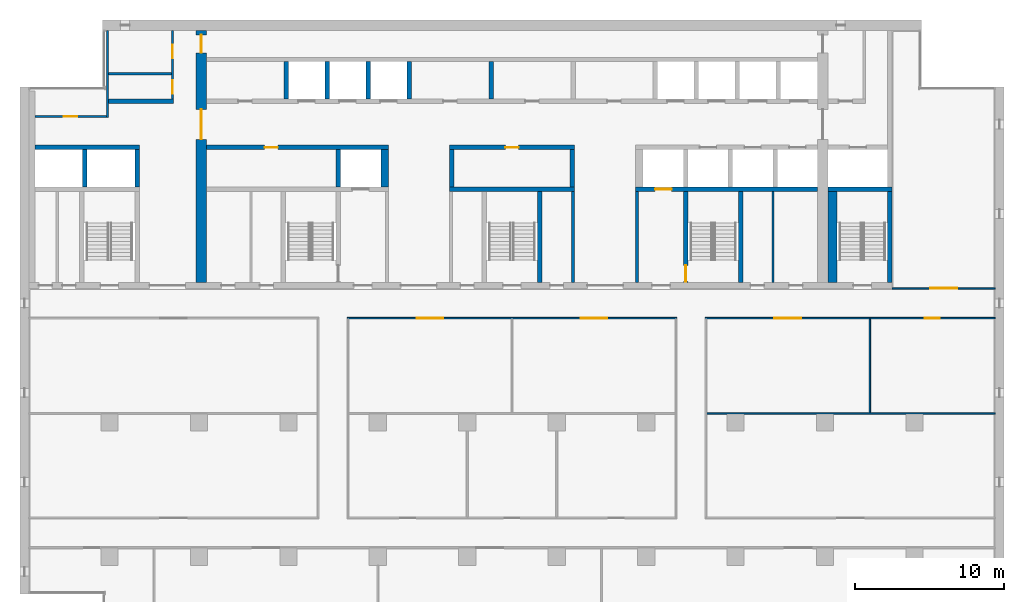
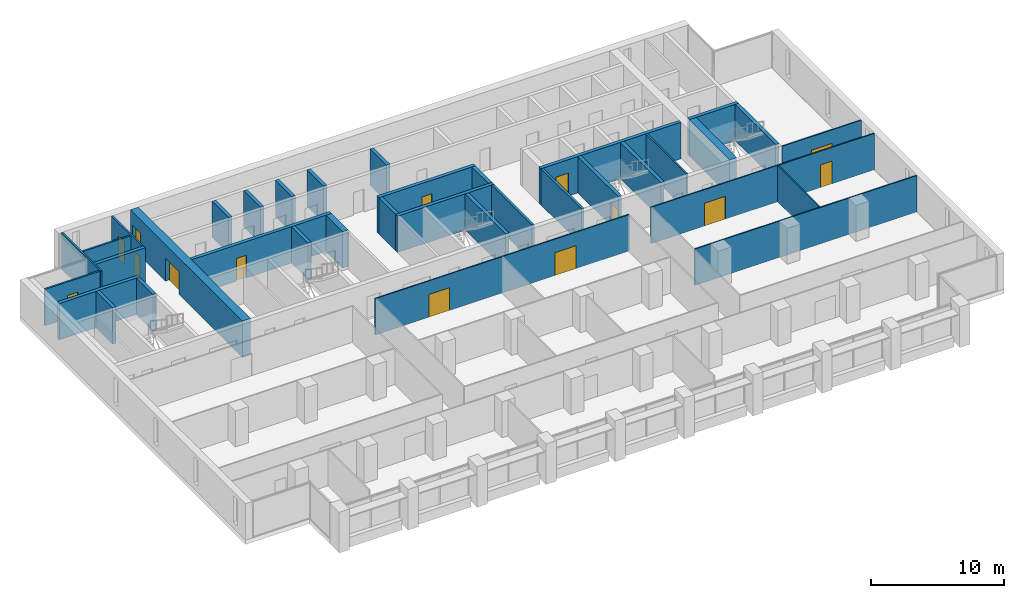
# One storey, part 10 of 17: 36 walls, 14 doors, 14 openings.
"""IFC4 building model written with IfcOpenShell, lengths in metres."""

from ifc_helpers import new_model, si_unit, direction, frame, frame_2d, origin, place, context, subcontext, project, spatial, rectangle, extrude, material, layer, layer_set, type_object, element, fill, save


model = new_model("IFC4")

# Units and contexts
model_context = context("Model", 3, precision=1e-05, world=origin(), true_north=direction((0.0, 1.0)))
body_context = subcontext(model_context, "Body", "Model", "MODEL_VIEW")
ifc_project = project(units=[si_unit("LENGTHUNIT", "METRE"), si_unit("AREAUNIT", "SQUARE_METRE"), si_unit("VOLUMEUNIT", "CUBIC_METRE"), si_unit("PLANEANGLEUNIT", "RADIAN"), si_unit("MASSUNIT", "GRAM", prefix="KILO")], contexts=[model_context])

# Site, building, storey
site_placement = place(None, origin())
site = spatial("IfcSite", under=ifc_project, at=site_placement, CompositionType="ELEMENT")
building_placement = place(site_placement, origin())
building = spatial("IfcBuilding", under=site, at=building_placement, Name="Calvaro Tower", CompositionType="ELEMENT")
storey_placement = place(building_placement, frame((0.0, 0.0, 185.5)))
storey = spatial("IfcBuildingStorey", under=building, at=storey_placement, Name="L46", CompositionType="ELEMENT", Elevation=185.5)

# Walls
ifc_material_1 = material(Name="Blockwork partition", Category="masonry")
ifc_layer_1 = layer(ifc_material_1, 0.14990234375)
ifc_layer_set_1 = layer_set([ifc_layer_1], Name="Blockwork partition")
wall_type_1 = type_object("IfcWallType", Name="Core partition 150 EI 60", PredefinedType="PARTITIONING", material=ifc_layer_set_1)
wall_1_placement = place(storey_placement, frame((56.5, 28.39990234375, 0.0), z_axis=(0.0, 0.0, 1.0), x_axis=(0.0, 1.0, 0.0)))
element("IfcWall", 1, at=wall_1_placement, inside=storey, type_object=wall_type_1, Name="Core partition", PredefinedType="PARTITIONING", context=body_context, shape_type="SweptSolid", body=[
    extrude(rectangle(XDim=6.10009765625, YDim=0.14990234375, at=frame_2d((3.050048828125, 0.0))), origin(), (0.0, 0.0, 1.0), 3.35009765625),
])
wall_2_placement = place(storey_placement, frame((11.949951171875, 42.39990234375, 0.0), z_axis=(0.0, 0.0, 1.0), x_axis=(1.0, 0.0, 0.0)))
element("IfcWall", 2, at=wall_2_placement, inside=storey, type_object=wall_type_1, Name="Core partition", PredefinedType="PARTITIONING", context=body_context, shape_type="SweptSolid", body=[
    extrude(rectangle(XDim=4.199951171875, YDim=0.14990234375, at=frame_2d((2.10009765625, 0.0))), origin(), (0.0, 0.0, 1.0), 3.35009765625),
])

# Wall, openings, doors
ifc_material_2 = material(Name="Blockwork partition", Category="masonry")
ifc_layer_2 = layer(ifc_material_2, 0.14990234375)
ifc_layer_set_2 = layer_set([ifc_layer_2], Name="Blockwork partition")
wall_type_2 = type_object("IfcWallType", Name="Core partition 150 REI 120", PredefinedType="PARTITIONING", material=ifc_layer_set_2)
wall_3_placement = place(storey_placement, frame((16.22509765625, 45.300048828125, 0.0), z_axis=(0.0, 0.0, 1.0), x_axis=(0.0, -1.0, 0.0)))
wall_3 = element("IfcWall", 3, at=wall_3_placement, inside=storey, type_object=wall_type_2, Name="Core partition", PredefinedType="PARTITIONING", context=body_context, shape_type="SweptSolid", body=[
    extrude(rectangle(XDim=4.60009765625, YDim=0.14990234375, at=frame_2d((2.300048828125, 0.0))), origin(), (0.0, 0.0, 1.0), 3.35009765625),
])
opening_1_placement = place(wall_3_placement, frame((3.33740234375, 0.0, 0.0)))
opening_1 = element("IfcOpeningElement", 4, at=opening_1_placement, cuts=wall_3, Name="Opening RD9", PredefinedType="OPENING", context=body_context, shape_type="SweptSolid", body=[
    extrude(rectangle(XDim=0.89990234375, YDim=2.10009765625, at=frame_2d((0.449951171875, 1.050048828125))), frame((0.0, 0.0849609375, 0.0), z_axis=(0.0, -1.0, 0.0), x_axis=(1.0, 0.0, 0.0)), (0.0, 0.0, 1.0), 0.169921875),
])
opening_2_placement = place(wall_3_placement, frame((0.96240234375, 0.0, 0.0)))
opening_2 = element("IfcOpeningElement", 5, at=opening_2_placement, cuts=wall_3, Name="Opening RD9", PredefinedType="OPENING", context=body_context, shape_type="SweptSolid", body=[
    extrude(rectangle(XDim=0.89990234375, YDim=2.10009765625, at=frame_2d((0.449951171875, 1.050048828125))), frame((0.0, 0.0849609375, 0.0), z_axis=(0.0, -1.0, 0.0), x_axis=(1.0, 0.0, 0.0)), (0.0, 0.0, 1.0), 0.169921875),
])
ifc_material_3 = material(Name="Steel door set", Category="steel")
door_type_1 = type_object("IfcDoorType", Name="Room door 900", OperationType="SINGLE_SWING_LEFT", PredefinedType="DOOR", material=ifc_material_3)
door_1_placement = place(opening_1_placement, origin())
door_1 = element("IfcDoor", 6, at=door_1_placement, inside=storey, type_object=door_type_1, Name="Room door", OperationType="SINGLE_SWING_RIGHT", OverallHeight=2.10009765625, OverallWidth=0.89990234375, PredefinedType="DOOR", context=body_context, shape_type="SweptSolid", body=[
    extrude(rectangle(XDim=0.89990234375, YDim=2.10009765625, at=frame_2d((0.449951171875, 1.050048828125))), frame((0.0, 0.02490234375, 0.0), z_axis=(0.0, -1.0, 0.0), x_axis=(1.0, 0.0, 0.0)), (0.0, 0.0, 1.0), 0.050048828125),
])
fill(opening_1, door_1)
door_2_placement = place(opening_2_placement, origin())
door_2 = element("IfcDoor", 7, at=door_2_placement, inside=storey, type_object=door_type_1, Name="Room door", OperationType="SINGLE_SWING_LEFT", OverallHeight=2.10009765625, OverallWidth=0.89990234375, PredefinedType="DOOR", context=body_context, shape_type="SweptSolid", body=[
    extrude(rectangle(XDim=0.89990234375, YDim=2.10009765625, at=frame_2d((0.449951171875, 1.050048828125))), frame((0.0, 0.02490234375, 0.0), z_axis=(0.0, -1.0, 0.0), x_axis=(1.0, 0.0, 0.0)), (0.0, 0.0, 1.0), 0.050048828125),
])
fill(opening_2, door_2)

# Wall
wall_4_placement = place(storey_placement, frame((11.875, 39.449951171875, 0.0), z_axis=(0.0, 0.0, 1.0), x_axis=(0.0, 1.0, 0.0)))
element("IfcWall", 8, at=wall_4_placement, inside=storey, type_object=wall_type_2, Name="Core partition", PredefinedType="PARTITIONING", context=body_context, shape_type="SweptSolid", body=[
    extrude(rectangle(XDim=5.85009765625, YDim=0.14990234375, at=frame_2d((2.925048828125, 0.0))), origin(), (0.0, 0.0, 1.0), 3.35009765625),
])

# Wall, opening, door
wall_5_placement = place(storey_placement, frame((7.0, 39.52490234375, 0.0), z_axis=(0.0, 0.0, 1.0), x_axis=(1.0, 0.0, 0.0)))
wall_5 = element("IfcWall", 9, at=wall_5_placement, inside=storey, type_object=wall_type_2, Name="Core partition", PredefinedType="PARTITIONING", context=body_context, shape_type="SweptSolid", body=[
    extrude(rectangle(XDim=4.800048828125, YDim=0.14990234375, at=frame_2d((2.39990234375, 0.0))), origin(), (0.0, 0.0, 1.0), 3.35009765625),
])
opening_3_placement = place(wall_5_placement, frame((1.949951171875, 0.0, 0.0)))
opening_3 = element("IfcOpeningElement", 10, at=opening_3_placement, cuts=wall_5, Name="Opening RD9", PredefinedType="OPENING", context=body_context, shape_type="SweptSolid", body=[
    extrude(rectangle(XDim=0.89990234375, YDim=2.10009765625, at=frame_2d((0.449951171875, 1.050048828125))), frame((0.0, 0.0849609375, 0.0), z_axis=(0.0, -1.0, 0.0), x_axis=(1.0, 0.0, 0.0)), (0.0, 0.0, 1.0), 0.169921875),
])
door_3_placement = place(opening_3_placement, origin())
door_3 = element("IfcDoor", 11, at=door_3_placement, inside=storey, type_object=door_type_1, Name="Room door", OperationType="SINGLE_SWING_LEFT", OverallHeight=2.10009765625, OverallWidth=0.89990234375, PredefinedType="DOOR", context=body_context, shape_type="SweptSolid", body=[
    extrude(rectangle(XDim=0.89990234375, YDim=2.10009765625, at=frame_2d((0.449951171875, 1.050048828125))), frame((0.0, 0.02490234375, 0.0), z_axis=(0.0, -1.0, 0.0), x_axis=(1.0, 0.0, 0.0)), (0.0, 0.0, 1.0), 0.050048828125),
])
fill(opening_3, door_3)

# Walls
ifc_material_4 = material(Name="Blockwork partition", Category="masonry")
ifc_layer_3 = layer(ifc_material_4, 0.199951171875)
ifc_layer_set_3 = layer_set([ifc_layer_3], Name="Blockwork partition")
wall_type_3 = type_object("IfcWallType", Name="Core partition 200 REI 120", PredefinedType="PARTITIONING", material=ifc_layer_set_3)
for number, where, z_axis, x_axis, name in (
    (12, (43.10009765625, 28.39990234375, 0.0), (0.0, 0.0, 1.0), (0.0, 1.0, 0.0), "Core partition"),
    (13, (47.39990234375, 28.39990234375, 0.0), (0.0, 0.0, 1.0), (0.0, 1.0, 0.0), "Core partition"),
):
    element("IfcWall", number, at=place(storey_placement, frame(where, z_axis=z_axis, x_axis=x_axis)), inside=storey, type_object=wall_type_3, Name=name, PredefinedType="PARTITIONING", context=body_context, shape_type="SweptSolid", body=[
        extrude(rectangle(XDim=6.10009765625, YDim=0.199951171875, at=frame_2d((3.050048828125, 0.0))), origin(), (0.0, 0.0, 1.0), 3.35009765625),
    ])
ifc_material_5 = material(Name="Blockwork partition", Category="masonry")
ifc_layer_4 = layer(ifc_material_5, 0.300048828125)
ifc_layer_set_4 = layer_set([ifc_layer_4], Name="Blockwork partition")
wall_type_4 = type_object("IfcWallType", Name="Core partition 300 REI 120", PredefinedType="PARTITIONING", material=ifc_layer_set_4)
wall_6_placement = place(storey_placement, frame((11.949951171875, 40.550048828125, 0.0), z_axis=(0.0, 0.0, 1.0), x_axis=(1.0, 0.0, 0.0)))
element("IfcWall", 14, at=wall_6_placement, inside=storey, type_object=wall_type_4, Name="Core partition", PredefinedType="PARTITIONING", context=body_context, shape_type="SweptSolid", body=[
    extrude(rectangle(XDim=4.35009765625, YDim=0.300048828125, at=frame_2d((2.175048828125, 0.0))), origin(), (0.0, 0.0, 1.0), 3.35009765625),
])
wall_7_placement = place(storey_placement, frame((37.60009765625, 40.699951171875, 0.0), z_axis=(0.0, 0.0, 1.0), x_axis=(0.0, 1.0, 0.0)))
element("IfcWall", 15, at=wall_7_placement, inside=storey, type_object=wall_type_4, Name="Core partition", PredefinedType="PARTITIONING", context=body_context, shape_type="SweptSolid", body=[
    extrude(rectangle(XDim=2.5, YDim=0.300048828125, at=frame_2d((1.25, 0.0))), origin(), (0.0, 0.0, 1.0), 3.35009765625),
])
ifc_material_6 = material(Name="Concrete C50/60", Category="concrete")
ifc_layer_5 = layer(ifc_material_6, 0.300048828125)
ifc_layer_set_5 = layer_set([ifc_layer_5], Name="Concrete C50/60")
wall_type_5 = type_object("IfcWallType", Name="Core wall C50/60 300", PredefinedType="SHEAR", material=ifc_layer_set_5)
wall_8_placement = place(storey_placement, frame((40.85009765625, 28.39990234375, 0.0), z_axis=(0.0, 0.0, 1.0), x_axis=(0.0, 1.0, 0.0)))
element("IfcWall", 16, at=wall_8_placement, inside=storey, type_object=wall_type_5, Name="Core wall, stair enclosure", PredefinedType="SHEAR", context=body_context, shape_type="SweptSolid", body=[
    extrude(rectangle(XDim=6.10009765625, YDim=0.300048828125, at=frame_2d((3.050048828125, 0.0))), origin(), (0.0, 0.0, 1.0), 3.35009765625),
])

# Wall, opening, door
wall_9_placement = place(storey_placement, frame((50.64990234375, 34.5, 0.0), z_axis=(0.0, 0.0, 1.0), x_axis=(0.0, -1.0, 0.0)))
wall_9 = element("IfcWall", 17, at=wall_9_placement, inside=storey, type_object=wall_type_5, Name="Core wall, stair enclosure", PredefinedType="SHEAR", context=body_context, shape_type="SweptSolid", body=[
    extrude(rectangle(XDim=6.10009765625, YDim=0.300048828125, at=frame_2d((3.050048828125, 0.0))), origin(), (0.0, 0.0, 1.0), 3.35009765625),
])
opening_4_placement = place(wall_9_placement, frame((4.949951171875, 0.0, 0.0)))
opening_4 = element("IfcOpeningElement", 18, at=opening_4_placement, cuts=wall_9, Name="Opening FD11D", PredefinedType="OPENING", context=body_context, shape_type="SweptSolid", body=[
    extrude(rectangle(XDim=1.10009765625, YDim=2.10009765625, at=frame_2d((0.550048828125, 1.050048828125))), frame((0.0, 0.159912109375, 0.0), z_axis=(0.0, -1.0, 0.0), x_axis=(1.0, 0.0, 0.0)), (0.0, 0.0, 1.0), 0.320068359375),
])
ifc_material_7 = material(Name="Steel door set", Category="steel")
door_type_2 = type_object("IfcDoorType", Name="Fire door 1100 FD30S", OperationType="SINGLE_SWING_LEFT", PredefinedType="DOOR", material=ifc_material_7)
door_4_placement = place(opening_4_placement, origin())
door_4 = element("IfcDoor", 19, at=door_4_placement, inside=storey, type_object=door_type_2, Name="Fire door", OperationType="SINGLE_SWING_RIGHT", OverallHeight=2.10009765625, OverallWidth=1.10009765625, PredefinedType="DOOR", context=body_context, shape_type="SweptSolid", body=[
    extrude(rectangle(XDim=1.10009765625, YDim=2.10009765625, at=frame_2d((0.550048828125, 1.050048828125))), frame((0.0, 0.02490234375, 0.0), z_axis=(0.0, -1.0, 0.0), x_axis=(1.0, 0.0, 0.0)), (0.0, 0.0, 1.0), 0.050048828125),
])
fill(opening_4, door_4)

# Walls
for number, where, z_axis, x_axis, name in (
    (20, (54.35009765625, 28.39990234375, 0.0), (0.0, 0.0, 1.0), (0.0, 1.0, 0.0), "Core wall, stair enclosure"),
    (21, (64.35009765625, 28.39990234375, 0.0), (0.0, 0.0, 1.0), (0.0, 1.0, 0.0), "Core wall, stair enclosure"),
):
    element("IfcWall", number, at=place(storey_placement, frame(where, z_axis=z_axis, x_axis=x_axis)), inside=storey, type_object=wall_type_5, Name=name, PredefinedType="SHEAR", context=body_context, shape_type="SweptSolid", body=[
        extrude(rectangle(XDim=6.10009765625, YDim=0.300048828125, at=frame_2d((3.050048828125, 0.0))), origin(), (0.0, 0.0, 1.0), 3.35009765625),
    ])
wall_10_placement = place(storey_placement, frame((34.800048828125, 34.64990234375, 0.0), z_axis=(0.0, 0.0, 1.0), x_axis=(1.0, 0.0, 0.0)))
element("IfcWall", 22, at=wall_10_placement, inside=storey, type_object=wall_type_5, Name="Core wall, lift shaft", PredefinedType="SHEAR", context=body_context, shape_type="SweptSolid", body=[
    extrude(rectangle(XDim=8.39990234375, YDim=0.300048828125, at=frame_2d((4.199951171875, 0.0))), origin(), (0.0, 0.0, 1.0), 3.35009765625),
])

# Wall, opening, door
wall_11_placement = place(storey_placement, frame((47.300048828125, 34.64990234375, 0.0), z_axis=(0.0, 0.0, 1.0), x_axis=(1.0, 0.0, 0.0)))
wall_11 = element("IfcWall", 23, at=wall_11_placement, inside=storey, type_object=wall_type_5, Name="Core wall, lift shaft", PredefinedType="SHEAR", context=body_context, shape_type="SweptSolid", body=[
    extrude(rectangle(XDim=12.199951171875, YDim=0.300048828125, at=frame_2d((6.10009765625, 0.0))), origin(), (0.0, 0.0, 1.0), 3.35009765625),
])
opening_5_placement = place(wall_11_placement, frame((1.300048828125, 0.0, 0.0)))
opening_5 = element("IfcOpeningElement", 24, at=opening_5_placement, cuts=wall_11, Name="Opening FF2", PredefinedType="OPENING", context=body_context, shape_type="SweptSolid", body=[
    extrude(rectangle(XDim=1.10009765625, YDim=2.10009765625, at=frame_2d((0.550048828125, 1.050048828125))), frame((0.0, 0.159912109375, 0.0), z_axis=(0.0, -1.0, 0.0), x_axis=(1.0, 0.0, 0.0)), (0.0, 0.0, 1.0), 0.320068359375),
])
ifc_material_8 = material(Name="Stainless steel", Category="steel")
door_type_3 = type_object("IfcDoorType", Name="Landing door 1100 E 60", OperationType="SLIDING_TO_LEFT", PredefinedType="DOOR", material=ifc_material_8)
door_5_placement = place(opening_5_placement, origin())
door_5 = element("IfcDoor", 25, at=door_5_placement, inside=storey, type_object=door_type_3, Name="Landing door FF2", OperationType="SLIDING_TO_LEFT", OverallHeight=2.10009765625, OverallWidth=1.10009765625, PredefinedType="DOOR", context=body_context, shape_type="SweptSolid", body=[
    extrude(rectangle(XDim=1.10009765625, YDim=2.10009765625, at=frame_2d((0.550048828125, 1.050048828125))), frame((0.0, 0.02490234375, 0.0), z_axis=(0.0, -1.0, 0.0), x_axis=(1.0, 0.0, 0.0)), (0.0, 0.0, 1.0), 0.050048828125),
])
fill(opening_5, door_5)

# Walls
wall_12_placement = place(storey_placement, frame((60.199951171875, 34.64990234375, 0.0), z_axis=(0.0, 0.0, 1.0), x_axis=(1.0, 0.0, 0.0)))
element("IfcWall", 26, at=wall_12_placement, inside=storey, type_object=wall_type_5, Name="Core wall, lift shaft", PredefinedType="SHEAR", context=body_context, shape_type="SweptSolid", body=[
    extrude(rectangle(XDim=4.300048828125, YDim=0.300048828125, at=frame_2d((2.14990234375, 0.0))), origin(), (0.0, 0.0, 1.0), 3.35009765625),
])
wall_13_placement = place(storey_placement, frame((7.0, 37.449951171875, 0.0), z_axis=(0.0, 0.0, 1.0), x_axis=(1.0, 0.0, 0.0)))
element("IfcWall", 27, at=wall_13_placement, inside=storey, type_object=wall_type_5, Name="Core wall, lift shaft", PredefinedType="SHEAR", context=body_context, shape_type="SweptSolid", body=[
    extrude(rectangle(XDim=7.0, YDim=0.300048828125, at=frame_2d((3.5, 0.0))), origin(), (0.0, 0.0, 1.0), 3.35009765625),
])

# Wall, opening, door
wall_14_placement = place(storey_placement, frame((30.699951171875, 37.449951171875, 0.0), z_axis=(0.0, 0.0, 1.0), x_axis=(-1.0, 0.0, 0.0)))
wall_14 = element("IfcWall", 28, at=wall_14_placement, inside=storey, type_object=wall_type_5, Name="Core wall, bay", PredefinedType="SHEAR", context=body_context, shape_type="SweptSolid", body=[
    extrude(rectangle(XDim=12.199951171875, YDim=0.300048828125, at=frame_2d((6.10009765625, 0.0))), origin(), (0.0, 0.0, 1.0), 3.35009765625),
])
opening_6_placement = place(wall_14_placement, frame((7.39990234375, 0.0, 0.0)))
opening_6 = element("IfcOpeningElement", 29, at=opening_6_placement, cuts=wall_14, Name="Opening RD9E", PredefinedType="OPENING", context=body_context, shape_type="SweptSolid", body=[
    extrude(rectangle(XDim=0.89990234375, YDim=2.10009765625, at=frame_2d((0.449951171875, 1.050048828125))), frame((0.0, 0.159912109375, 0.0), z_axis=(0.0, -1.0, 0.0), x_axis=(1.0, 0.0, 0.0)), (0.0, 0.0, 1.0), 0.320068359375),
])
ifc_material_9 = material(Name="Steel door set", Category="steel")
door_type_4 = type_object("IfcDoorType", Name="Room door 900 FD60", OperationType="SINGLE_SWING_LEFT", PredefinedType="DOOR", material=ifc_material_9)
door_6_placement = place(opening_6_placement, origin())
door_6 = element("IfcDoor", 30, at=door_6_placement, inside=storey, type_object=door_type_4, Name="Room door", OperationType="SINGLE_SWING_LEFT", OverallHeight=2.10009765625, OverallWidth=0.89990234375, PredefinedType="DOOR", context=body_context, shape_type="SweptSolid", body=[
    extrude(rectangle(XDim=0.89990234375, YDim=2.10009765625, at=frame_2d((0.449951171875, 1.050048828125))), frame((0.0, 0.02490234375, 0.0), z_axis=(0.0, -1.0, 0.0), x_axis=(1.0, 0.0, 0.0)), (0.0, 0.0, 1.0), 0.050048828125),
])
fill(opening_6, door_6)

wall_15_placement = place(storey_placement, frame((43.199951171875, 37.449951171875, 0.0), z_axis=(0.0, 0.0, 1.0), x_axis=(-1.0, 0.0, 0.0)))
wall_15 = element("IfcWall", 31, at=wall_15_placement, inside=storey, type_object=wall_type_5, Name="Core wall, bay", PredefinedType="SHEAR", context=body_context, shape_type="SweptSolid", body=[
    extrude(rectangle(XDim=8.39990234375, YDim=0.300048828125, at=frame_2d((4.199951171875, 0.0))), origin(), (0.0, 0.0, 1.0), 3.35009765625),
])
opening_7_placement = place(wall_15_placement, frame((3.75, 0.0, 0.0)))
opening_7 = element("IfcOpeningElement", 32, at=opening_7_placement, cuts=wall_15, Name="Opening RD9E", PredefinedType="OPENING", context=body_context, shape_type="SweptSolid", body=[
    extrude(rectangle(XDim=0.89990234375, YDim=2.10009765625, at=frame_2d((0.449951171875, 1.050048828125))), frame((0.0, 0.159912109375, 0.0), z_axis=(0.0, -1.0, 0.0), x_axis=(1.0, 0.0, 0.0)), (0.0, 0.0, 1.0), 0.320068359375),
])
door_7_placement = place(opening_7_placement, origin())
door_7 = element("IfcDoor", 33, at=door_7_placement, inside=storey, type_object=door_type_4, Name="Room door", OperationType="SINGLE_SWING_RIGHT", OverallHeight=2.10009765625, OverallWidth=0.89990234375, PredefinedType="DOOR", context=body_context, shape_type="SweptSolid", body=[
    extrude(rectangle(XDim=0.89990234375, YDim=2.10009765625, at=frame_2d((0.449951171875, 1.050048828125))), frame((0.0, 0.02490234375, 0.0), z_axis=(0.0, -1.0, 0.0), x_axis=(1.0, 0.0, 0.0)), (0.0, 0.0, 1.0), 0.050048828125),
])
fill(opening_7, door_7)

# Walls
for number, where, z_axis, x_axis, name in (
    (34, (27.35009765625, 34.800048828125, 0.0), (0.0, 0.0, 1.0), (0.0, 1.0, 0.0), "Core wall, lift shaft"),
    (35, (34.949951171875, 34.800048828125, 0.0), (0.0, 0.0, 1.0), (0.0, 1.0, 0.0), "Core wall, lift shaft"),
    (36, (43.050048828125, 34.800048828125, 0.0), (0.0, 0.0, 1.0), (0.0, 1.0, 0.0), "Core wall, lift shaft"),
    (37, (13.85009765625, 34.800048828125, 0.0), (0.0, 0.0, 1.0), (0.0, 1.0, 0.0), "Core wall, lift shaft"),
    (38, (23.85009765625, 40.699951171875, 0.0), (0.0, 0.0, 1.0), (0.0, 1.0, 0.0), "Core wall, lift shaft"),
    (39, (26.60009765625, 40.699951171875, 0.0), (0.0, 0.0, 1.0), (0.0, 1.0, 0.0), "Core wall, lift shaft"),
    (40, (29.35009765625, 40.699951171875, 0.0), (0.0, 0.0, 1.0), (0.0, 1.0, 0.0), "Core wall, lift shaft"),
    (41, (32.10009765625, 40.699951171875, 0.0), (0.0, 0.0, 1.0), (0.0, 1.0, 0.0), "Core wall, lift shaft"),
    (42, (10.35009765625, 34.800048828125, 0.0), (0.0, 0.0, 1.0), (0.0, 1.0, 0.0), "Core wall, lift shaft"),
):
    element("IfcWall", number, at=place(storey_placement, frame(where, z_axis=z_axis, x_axis=x_axis)), inside=storey, type_object=wall_type_5, Name=name, PredefinedType="SHEAR", context=body_context, shape_type="SweptSolid", body=[
        extrude(rectangle(XDim=2.5, YDim=0.300048828125, at=frame_2d((1.25, 0.0))), origin(), (0.0, 0.0, 1.0), 3.35009765625),
    ])
ifc_material_10 = material(Name="Concrete C50/60", Category="concrete")
ifc_layer_6 = layer(ifc_material_10, 0.5)
ifc_layer_set_6 = layer_set([ifc_layer_6], Name="Concrete C50/60")
wall_type_6 = type_object("IfcWallType", Name="Core wall C50/60 500", PredefinedType="SHEAR", material=ifc_layer_set_6)
wall_16_placement = place(storey_placement, frame((30.449951171875, 34.800048828125, 0.0), z_axis=(0.0, 0.0, 1.0), x_axis=(0.0, 1.0, 0.0)))
element("IfcWall", 43, at=wall_16_placement, inside=storey, type_object=wall_type_6, Name="Core wall, lift shaft", PredefinedType="SHEAR", context=body_context, shape_type="SweptSolid", body=[
    extrude(rectangle(XDim=2.5, YDim=0.5, at=frame_2d((1.25, 0.0))), origin(), (0.0, 0.0, 1.0), 3.35009765625),
])
ifc_material_11 = material(Name="Concrete C50/60", Category="concrete")
ifc_layer_7 = layer(ifc_material_11, 0.60009765625)
ifc_layer_set_7 = layer_set([ifc_layer_7], Name="Concrete C50/60")
wall_type_7 = type_object("IfcWallType", Name="Core wall C50/60 600", PredefinedType="SHEAR", material=ifc_layer_set_7)
wall_17_placement = place(storey_placement, frame((60.5, 28.39990234375, 0.0), z_axis=(0.0, 0.0, 1.0), x_axis=(0.0, 1.0, 0.0)))
element("IfcWall", 44, at=wall_17_placement, inside=storey, type_object=wall_type_7, Name="Core wall, stair enclosure", PredefinedType="SHEAR", context=body_context, shape_type="SweptSolid", body=[
    extrude(rectangle(XDim=6.10009765625, YDim=0.60009765625, at=frame_2d((3.050048828125, 0.0))), origin(), (0.0, 0.0, 1.0), 3.35009765625),
])

# Wall, openings, doors
ifc_material_12 = material(Name="Concrete C50/60", Category="concrete")
ifc_layer_8 = layer(ifc_material_12, 0.699951171875)
ifc_layer_set_8 = layer_set([ifc_layer_8], Name="Concrete C50/60")
wall_type_8 = type_object("IfcWallType", Name="Core wall C50/60 700", PredefinedType="SHEAR", material=ifc_layer_set_8)
wall_18_placement = place(storey_placement, frame((18.14990234375, 28.39990234375, 0.0), z_axis=(0.0, 0.0, 1.0), x_axis=(0.0, 1.0, 0.0)))
wall_18 = element("IfcWall", 45, at=wall_18_placement, inside=storey, type_object=wall_type_8, Name="Core wall, cross shear wall", PredefinedType="SHEAR", context=body_context, shape_type="SweptSolid", body=[
    extrude(rectangle(XDim=16.900146484375, YDim=0.699951171875, at=frame_2d((8.4501953125, 0.0))), origin(), (0.0, 0.0, 1.0), 3.35009765625),
])
opening_8_placement = place(wall_18_placement, frame((9.60009765625, 0.0, 0.0)))
opening_8 = element("IfcOpeningElement", 46, at=opening_8_placement, cuts=wall_18, Name="Opening DD20D", PredefinedType="OPENING", context=body_context, shape_type="SweptSolid", body=[
    extrude(rectangle(XDim=2.0, YDim=2.10009765625, at=frame_2d((1.0, 1.050048828125))), frame((0.0, 0.35986328125, 0.0), z_axis=(0.0, -1.0, 0.0), x_axis=(1.0, 0.0, 0.0)), (0.0, 0.0, 1.0), 0.719970703125),
])
opening_9_placement = place(wall_18_placement, frame((15.39990234375, 0.0, 0.0)))
opening_9 = element("IfcOpeningElement", 47, at=opening_9_placement, cuts=wall_18, Name="Opening FD12C", PredefinedType="OPENING", context=body_context, shape_type="SweptSolid", body=[
    extrude(rectangle(XDim=1.199951171875, YDim=2.10009765625, at=frame_2d((0.60009765625, 1.050048828125))), frame((0.0, 0.35986328125, 0.0), z_axis=(0.0, -1.0, 0.0), x_axis=(1.0, 0.0, 0.0)), (0.0, 0.0, 1.0), 0.719970703125),
])
ifc_material_13 = material(Name="Steel door set", Category="steel")
door_type_5 = type_object("IfcDoorType", Name="Fire door 1200 FD30", OperationType="SINGLE_SWING_LEFT", PredefinedType="DOOR", material=ifc_material_13)
door_8_placement = place(opening_9_placement, origin())
door_8 = element("IfcDoor", 48, at=door_8_placement, inside=storey, type_object=door_type_5, Name="Fire door", OperationType="SINGLE_SWING_LEFT", OverallHeight=2.10009765625, OverallWidth=1.199951171875, PredefinedType="DOOR", context=body_context, shape_type="SweptSolid", body=[
    extrude(rectangle(XDim=1.199951171875, YDim=2.10009765625, at=frame_2d((0.60009765625, 1.050048828125))), frame((0.0, 0.02490234375, 0.0), z_axis=(0.0, -1.0, 0.0), x_axis=(1.0, 0.0, 0.0)), (0.0, 0.0, 1.0), 0.050048828125),
])
fill(opening_9, door_8)
ifc_material_14 = material(Name="Steel door set", Category="steel")
door_type_6 = type_object("IfcDoorType", Name="Lobby double door 2000 FD30S", OperationType="DOUBLE_DOOR_SINGLE_SWING", PredefinedType="DOOR", material=ifc_material_14)
door_9_placement = place(opening_8_placement, origin())
door_9 = element("IfcDoor", 49, at=door_9_placement, inside=storey, type_object=door_type_6, Name="Lobby double door", OperationType="DOUBLE_DOOR_SINGLE_SWING", OverallHeight=2.10009765625, OverallWidth=2.0, PredefinedType="DOOR", context=body_context, shape_type="SweptSolid", body=[
    extrude(rectangle(XDim=2.0, YDim=2.10009765625, at=frame_2d((1.0, 1.050048828125))), frame((0.0, 0.02490234375, 0.0), z_axis=(0.0, -1.0, 0.0), x_axis=(1.0, 0.0, 0.0)), (0.0, 0.0, 1.0), 0.050048828125),
])
fill(opening_8, door_9)

# Wall
ifc_material_15 = material(Name="Plasterboard on steel studs", Category="steel")
ifc_layer_9 = layer(ifc_material_15, 0.10009765625)
ifc_layer_set_9 = layer_set([ifc_layer_9], Name="Plasterboard on steel studs")
wall_type_9 = type_object("IfcWallType", Name="Partition 100", PredefinedType="PARTITIONING", material=ifc_layer_set_9)
wall_19_placement = place(storey_placement, frame((52.050048828125, 19.60009765625, 0.0), z_axis=(0.0, 0.0, 1.0), x_axis=(1.0, 0.0, 0.0)))
element("IfcWall", 50, at=wall_19_placement, inside=storey, type_object=wall_type_9, Name="Partition T27.W007", PredefinedType="PARTITIONING", context=body_context, shape_type="SweptSolid", body=[
    extrude(rectangle(XDim=19.349853515625, YDim=0.10009765625, at=frame_2d((9.6748046875, 0.0))), origin(), (0.0, 0.0, 1.0), 3.35009765625),
])

# Wall, openings, doors
wall_20_placement = place(storey_placement, frame((27.949951171875, 26.0, 0.0), z_axis=(0.0, 0.0, 1.0), x_axis=(1.0, 0.0, 0.0)))
wall_20 = element("IfcWall", 51, at=wall_20_placement, inside=storey, type_object=wall_type_9, Name="Partition T27.W009", PredefinedType="PARTITIONING", context=body_context, shape_type="SweptSolid", body=[
    extrude(rectangle(XDim=22.10009765625, YDim=0.10009765625, at=frame_2d((11.050048828125, 0.0))), origin(), (0.0, 0.0, 1.0), 3.35009765625),
])
opening_10_placement = place(wall_20_placement, frame((4.64990234375, 0.0, 0.0)))
opening_10 = element("IfcOpeningElement", 52, at=opening_10_placement, cuts=wall_20, Name="Opening T27.011", PredefinedType="OPENING", context=body_context, shape_type="SweptSolid", body=[
    extrude(rectangle(XDim=1.800048828125, YDim=2.10009765625, at=frame_2d((0.89990234375, 1.050048828125))), frame((0.0, 0.06005859375, 0.0), z_axis=(0.0, -1.0, 0.0), x_axis=(1.0, 0.0, 0.0)), (0.0, 0.0, 1.0), 0.1201171875),
])
opening_11_placement = place(wall_20_placement, frame((15.64990234375, 0.0, 0.0)))
opening_11 = element("IfcOpeningElement", 53, at=opening_11_placement, cuts=wall_20, Name="Opening T27.012", PredefinedType="OPENING", context=body_context, shape_type="SweptSolid", body=[
    extrude(rectangle(XDim=1.800048828125, YDim=2.10009765625, at=frame_2d((0.89990234375, 1.050048828125))), frame((0.0, 0.06005859375, 0.0), z_axis=(0.0, -1.0, 0.0), x_axis=(1.0, 0.0, 0.0)), (0.0, 0.0, 1.0), 0.1201171875),
])
ifc_material_16 = material(Name="Timber", Category="wood")
door_type_7 = type_object("IfcDoorType", Name="Internal double door 1800 x 2100", OperationType="DOUBLE_DOOR_SINGLE_SWING", PredefinedType="DOOR", material=ifc_material_16)
door_10_placement = place(opening_10_placement, origin())
door_10 = element("IfcDoor", 54, at=door_10_placement, inside=storey, type_object=door_type_7, Name="Door T27.011", OperationType="DOUBLE_DOOR_SINGLE_SWING", OverallHeight=2.10009765625, OverallWidth=1.800048828125, PredefinedType="DOOR", context=body_context, shape_type="SweptSolid", body=[
    extrude(rectangle(XDim=1.800048828125, YDim=2.10009765625, at=frame_2d((0.89990234375, 1.050048828125))), frame((0.0, 0.02490234375, 0.0), z_axis=(0.0, -1.0, 0.0), x_axis=(1.0, 0.0, 0.0)), (0.0, 0.0, 1.0), 0.050048828125),
])
fill(opening_10, door_10)
door_11_placement = place(opening_11_placement, origin())
door_11 = element("IfcDoor", 55, at=door_11_placement, inside=storey, type_object=door_type_7, Name="Door T27.012", OperationType="DOUBLE_DOOR_SINGLE_SWING", OverallHeight=2.10009765625, OverallWidth=1.800048828125, PredefinedType="DOOR", context=body_context, shape_type="SweptSolid", body=[
    extrude(rectangle(XDim=1.800048828125, YDim=2.10009765625, at=frame_2d((0.89990234375, 1.050048828125))), frame((0.0, 0.02490234375, 0.0), z_axis=(0.0, -1.0, 0.0), x_axis=(1.0, 0.0, 0.0)), (0.0, 0.0, 1.0), 0.050048828125),
])
fill(opening_11, door_11)

wall_21_placement = place(storey_placement, frame((51.949951171875, 26.0, 0.0), z_axis=(0.0, 0.0, 1.0), x_axis=(1.0, 0.0, 0.0)))
wall_21 = element("IfcWall", 56, at=wall_21_placement, inside=storey, type_object=wall_type_9, Name="Partition T27.W010", PredefinedType="PARTITIONING", context=body_context, shape_type="SweptSolid", body=[
    extrude(rectangle(XDim=19.449951171875, YDim=0.10009765625, at=frame_2d((9.72509765625, 0.0))), origin(), (0.0, 0.0, 1.0), 3.35009765625),
])
opening_12_placement = place(wall_21_placement, frame((4.64990234375, 0.0, 0.0)))
opening_12 = element("IfcOpeningElement", 57, at=opening_12_placement, cuts=wall_21, Name="Opening T27.013", PredefinedType="OPENING", context=body_context, shape_type="SweptSolid", body=[
    extrude(rectangle(XDim=1.800048828125, YDim=2.10009765625, at=frame_2d((0.89990234375, 1.050048828125))), frame((0.0, 0.06005859375, 0.0), z_axis=(0.0, -1.0, 0.0), x_axis=(1.0, 0.0, 0.0)), (0.0, 0.0, 1.0), 0.1201171875),
])
opening_13_placement = place(wall_21_placement, frame((14.75, 0.0, 0.0)))
opening_13 = element("IfcOpeningElement", 58, at=opening_13_placement, cuts=wall_21, Name="Opening T27.014", PredefinedType="OPENING", context=body_context, shape_type="SweptSolid", body=[
    extrude(rectangle(XDim=1.0, YDim=2.10009765625, at=frame_2d((0.5, 1.050048828125))), frame((0.0, 0.06005859375, 0.0), z_axis=(0.0, -1.0, 0.0), x_axis=(1.0, 0.0, 0.0)), (0.0, 0.0, 1.0), 0.1201171875),
])
door_12_placement = place(opening_12_placement, origin())
door_12 = element("IfcDoor", 59, at=door_12_placement, inside=storey, type_object=door_type_7, Name="Door T27.013", OperationType="DOUBLE_DOOR_SINGLE_SWING", OverallHeight=2.10009765625, OverallWidth=1.800048828125, PredefinedType="DOOR", context=body_context, shape_type="SweptSolid", body=[
    extrude(rectangle(XDim=1.800048828125, YDim=2.10009765625, at=frame_2d((0.89990234375, 1.050048828125))), frame((0.0, 0.02490234375, 0.0), z_axis=(0.0, -1.0, 0.0), x_axis=(1.0, 0.0, 0.0)), (0.0, 0.0, 1.0), 0.050048828125),
])
fill(opening_12, door_12)
ifc_material_17 = material(Name="Timber", Category="wood")
door_type_8 = type_object("IfcDoorType", Name="Internal single door 1000 x 2100", OperationType="SINGLE_SWING_LEFT", PredefinedType="DOOR", material=ifc_material_17)
door_13_placement = place(opening_13_placement, origin())
door_13 = element("IfcDoor", 60, at=door_13_placement, inside=storey, type_object=door_type_8, Name="Door T27.014", OperationType="SINGLE_SWING_RIGHT", OverallHeight=2.10009765625, OverallWidth=1.0, PredefinedType="DOOR", context=body_context, shape_type="SweptSolid", body=[
    extrude(rectangle(XDim=1.0, YDim=2.10009765625, at=frame_2d((0.5, 1.050048828125))), frame((0.0, 0.02490234375, 0.0), z_axis=(0.0, -1.0, 0.0), x_axis=(1.0, 0.0, 0.0)), (0.0, 0.0, 1.0), 0.050048828125),
])
fill(opening_13, door_13)

# Wall, opening, door
wall_22_placement = place(storey_placement, frame((64.5, 28.0, 0.0), z_axis=(0.0, 0.0, 1.0), x_axis=(1.0, 0.0, 0.0)))
wall_22 = element("IfcWall", 61, at=wall_22_placement, inside=storey, type_object=wall_type_9, Name="Partition T27.W011", PredefinedType="PARTITIONING", context=body_context, shape_type="SweptSolid", body=[
    extrude(rectangle(XDim=6.89990234375, YDim=0.10009765625, at=frame_2d((3.449951171875, 0.0))), origin(), (0.0, 0.0, 1.0), 3.35009765625),
])
opening_14_placement = place(wall_22_placement, frame((2.550048828125, 0.0, 0.0)))
opening_14 = element("IfcOpeningElement", 62, at=opening_14_placement, cuts=wall_22, Name="Opening T27.015", PredefinedType="OPENING", context=body_context, shape_type="SweptSolid", body=[
    extrude(rectangle(XDim=1.800048828125, YDim=2.10009765625, at=frame_2d((0.89990234375, 1.050048828125))), frame((0.0, 0.06005859375, 0.0), z_axis=(0.0, -1.0, 0.0), x_axis=(1.0, 0.0, 0.0)), (0.0, 0.0, 1.0), 0.1201171875),
])
door_14_placement = place(opening_14_placement, origin())
door_14 = element("IfcDoor", 63, at=door_14_placement, inside=storey, type_object=door_type_7, Name="Door T27.015", OperationType="DOUBLE_DOOR_SINGLE_SWING", OverallHeight=2.10009765625, OverallWidth=1.800048828125, PredefinedType="DOOR", context=body_context, shape_type="SweptSolid", body=[
    extrude(rectangle(XDim=1.800048828125, YDim=2.10009765625, at=frame_2d((0.89990234375, 1.050048828125))), frame((0.0, 0.02490234375, 0.0), z_axis=(0.0, -1.0, 0.0), x_axis=(1.0, 0.0, 0.0)), (0.0, 0.0, 1.0), 0.050048828125),
])
fill(opening_14, door_14)

# Wall
wall_23_placement = place(storey_placement, frame((63.0, 19.64990234375, 0.0), z_axis=(0.0, 0.0, 1.0), x_axis=(0.0, 1.0, 0.0)))
element("IfcWall", 64, at=wall_23_placement, inside=storey, type_object=wall_type_9, Name="Partition T27.W022", PredefinedType="PARTITIONING", context=body_context, shape_type="SweptSolid", body=[
    extrude(rectangle(XDim=6.300048828125, YDim=0.10009765625, at=frame_2d((3.14990234375, 0.0))), origin(), (0.0, 0.0, 1.0), 3.35009765625),
])

save(model, "model.ifc")
